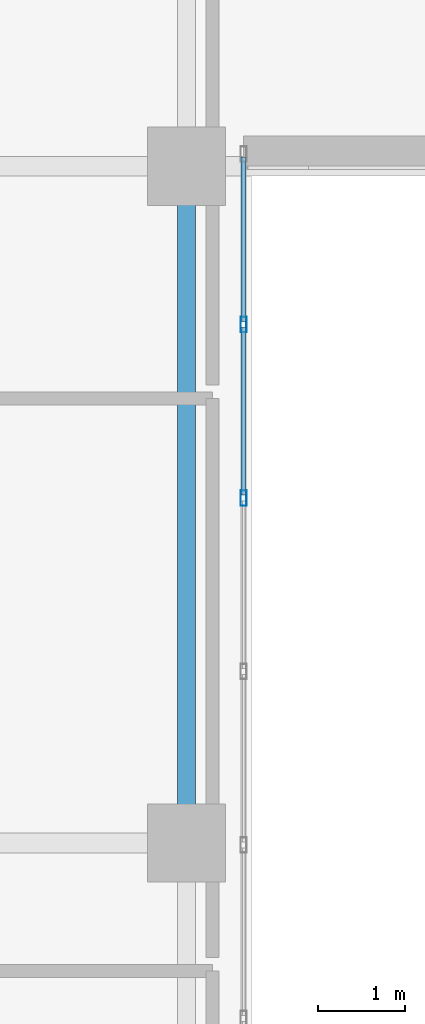
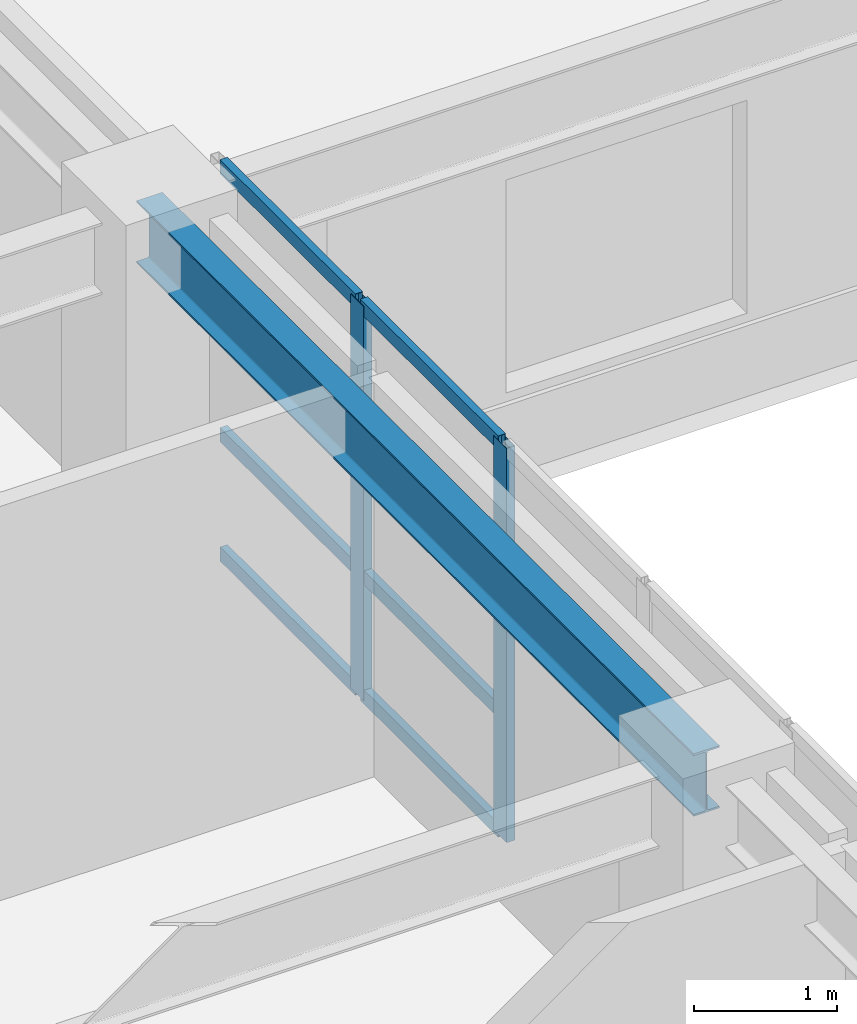
# One storey, part 3 of 25: 8 members, 1 beam, 1 element without a shape of its own.
"""IFC4 building model written with IfcOpenShell, lengths in metres."""

from ifc_helpers import new_model, si_unit, direction, frame, origin, origin_2d, place, context, subcontext, project, spatial, hollow_rectangle, i_section, extrude, source, transform, mapped, material, layer, layer_set, material_profile, profile_set, type_object, type_shapes, element, aggregate, save


model = new_model("IFC4")

# Units and contexts
model_context = context("Model", 3, precision=1e-05, world=origin(), true_north=direction((0.0, 1.0)))
body_context = subcontext(model_context, "Body", "Model", "MODEL_VIEW")
ifc_project = project(units=[si_unit("LENGTHUNIT", "METRE"), si_unit("AREAUNIT", "SQUARE_METRE"), si_unit("VOLUMEUNIT", "CUBIC_METRE"), si_unit("PLANEANGLEUNIT", "RADIAN"), si_unit("MASSUNIT", "GRAM", prefix="KILO")], contexts=[model_context])

# Site, building, storey
site_placement = place(None, origin())
site = spatial("IfcSite", under=ifc_project, at=site_placement, CompositionType="ELEMENT")
building_placement = place(site_placement, origin())
building = spatial("IfcBuilding", under=site, at=building_placement, Name="Tolvann Quenvar Hotel", CompositionType="ELEMENT")
storey_placement = place(building_placement, frame((0.0, 0.0, 132.85009765625)))
storey = spatial("IfcBuildingStorey", under=building, at=storey_placement, Name="L34", CompositionType="ELEMENT", Elevation=132.85009765625)

# Beam
ifc_material_1 = material(Name="Steel Grade 350", Category="steel")
ifc_material_profile_1 = material_profile(ifc_material_1, i_section(OverallWidth=0.208984375, OverallDepth=0.532958984375, WebThickness=0.01025390625, FlangeThickness=0.015625, FilletRadius=0.013916015625, at=origin_2d()), Name="530UB92")
ifc_profile_set_1 = profile_set([ifc_material_profile_1], Name="Steel Grade 350")
beam_type = type_object("IfcBeamType", Name="BM_GIRD_530UB92", PredefinedType="BEAM", material=ifc_profile_set_1)
shared_shape_1 = source(origin(), body_context, "Body", "SweptSolid", [
    extrude(i_section(OverallWidth=0.208984375, OverallDepth=0.532958984375, WebThickness=0.01025390625, FlangeThickness=0.015625, FilletRadius=0.013916015625, at=origin_2d()), origin(), (0.0, 0.0, 1.0), 7.800048828125),
])
type_shapes(beam_type, [shared_shape_1])
beam_placement = place(storey_placement, frame((22.050048828125, 8.199951171875, 3.103515625), z_axis=(0.0, 1.0, 0.0), x_axis=(-1.0, 0.0, 0.0)))
element("IfcBeam", 1, at=beam_placement, inside=storey, type_object=beam_type, Name="BM-L34-NS-E3-E4", PredefinedType="BEAM", context=body_context, shape_type="MappedRepresentation", body=[
    mapped(shared_shape_1, transform((0.0, 0.0, 0.0), x_axis=(1.0, 0.0, 0.0), y_axis=(0.0, 1.0, 0.0), z_axis=(0.0, 0.0, 1.0), scale=1.0)),
])

# Curtain wall, members
ifc_material_2 = material(Name="Thermally broken anodised architectural aluminium 6063-T6 and laminated low-E glass", Category="aluminium")
ifc_layer = layer(ifc_material_2, 0.179931640625)
ifc_layer_set = layer_set([ifc_layer], Name="Thermally broken anodised architectural aluminium 6063-T6 and laminated low-E glass")
curtain_wall_type = type_object("IfcCurtainWallType", Name="CW_SYS_SLOT_03", PredefinedType="USERDEFINED", material=ifc_layer_set)
curtain_wall_placement = place(storey_placement, origin())
curtain_wall = element("IfcCurtainWall", 2, at=curtain_wall_placement, inside=storey, type_object=curtain_wall_type, Name="Curtain Wall CW-SLOT-03 (CWR-L34-E05)", ObjectType="UNITISED CURTAIN WALL", PredefinedType="USERDEFINED")
ifc_material_3 = material(Name="Anodised architectural aluminium 6063-T6 framing", Category="aluminium")
ifc_material_profile_2 = material_profile(ifc_material_3, hollow_rectangle(XDim=0.06005859375, YDim=0.1201171875, WallThickness=0.00341796875, at=origin_2d()), Name="120x60x3.5RHS")
ifc_profile_set_2 = profile_set([ifc_material_profile_2], Name="Anodised architectural aluminium 6063-T6 framing")
member_type_1 = type_object("IfcMemberType", Name="CW_TRAN_120x60", PredefinedType="USERDEFINED", material=ifc_profile_set_2)
shared_shape_2 = source(origin(), body_context, "Body", "SweptSolid", [
    extrude(hollow_rectangle(XDim=0.06005859375, YDim=0.1201171875, WallThickness=0.00341796875, at=origin_2d()), origin(), (0.0, 0.0, 1.0), 1.929931640625),
])
member_1_placement = place(storey_placement, frame((22.7099609375, 12.2099609375, 0.02978515625), z_axis=(0.0, 1.0, 0.0), x_axis=(-1.0, 0.0, 0.0)))
member_1 = element("IfcMember", 3, at=member_1_placement, type_object=member_type_1, Name="CW-SLOT-03 transom 7.1", ObjectType="TRANSOM", PredefinedType="USERDEFINED", context=body_context, shape_type="MappedRepresentation", body=[
    mapped(shared_shape_2, transform((0.0, 0.0, 0.0), x_axis=(1.0, 0.0, 0.0), y_axis=(0.0, 1.0, 0.0), z_axis=(0.0, 0.0, 1.0), scale=1.0)),
])
member_2_placement = place(storey_placement, frame((22.7099609375, 12.2099609375, 1.0498046875), z_axis=(0.0, 1.0, 0.0), x_axis=(-1.0, 0.0, 0.0)))
member_2 = element("IfcMember", 4, at=member_2_placement, type_object=member_type_1, Name="CW-SLOT-03 transom 7.2", ObjectType="TRANSOM", PredefinedType="USERDEFINED", context=body_context, shape_type="MappedRepresentation", body=[
    mapped(shared_shape_2, transform((0.0, 0.0, 0.0), x_axis=(1.0, 0.0, 0.0), y_axis=(0.0, 1.0, 0.0), z_axis=(0.0, 0.0, 1.0), scale=1.0)),
])
member_3_placement = place(storey_placement, frame((22.7099609375, 12.2099609375, 3.33984375), z_axis=(0.0, 1.0, 0.0), x_axis=(-1.0, 0.0, 0.0)))
member_3 = element("IfcMember", 5, at=member_3_placement, type_object=member_type_1, Name="CW-SLOT-03 transom 7.3", ObjectType="TRANSOM", PredefinedType="USERDEFINED", context=body_context, shape_type="MappedRepresentation", body=[
    mapped(shared_shape_2, transform((0.0, 0.0, 0.0), x_axis=(1.0, 0.0, 0.0), y_axis=(0.0, 1.0, 0.0), z_axis=(0.0, 0.0, 1.0), scale=1.0)),
])
shared_shape_3 = source(origin(), body_context, "Body", "SweptSolid", [
    extrude(hollow_rectangle(XDim=0.06005859375, YDim=0.1201171875, WallThickness=0.00341796875, at=origin_2d()), origin(), (0.0, 0.0, 1.0), 1.89501953125),
])
type_shapes(member_type_1, [shared_shape_2, shared_shape_3])
member_4_placement = place(storey_placement, frame((22.7099609375, 14.2099609375, 0.02978515625), z_axis=(0.0, 1.0, 0.0), x_axis=(-1.0, 0.0, 0.0)))
member_4 = element("IfcMember", 6, at=member_4_placement, type_object=member_type_1, Name="CW-SLOT-03 transom 8.1", ObjectType="TRANSOM", PredefinedType="USERDEFINED", context=body_context, shape_type="MappedRepresentation", body=[
    mapped(shared_shape_3, transform((0.0, 0.0, 0.0), x_axis=(1.0, 0.0, 0.0), y_axis=(0.0, 1.0, 0.0), z_axis=(0.0, 0.0, 1.0), scale=1.0)),
])
member_5_placement = place(storey_placement, frame((22.7099609375, 14.2099609375, 1.0498046875), z_axis=(0.0, 1.0, 0.0), x_axis=(-1.0, 0.0, 0.0)))
member_5 = element("IfcMember", 7, at=member_5_placement, type_object=member_type_1, Name="CW-SLOT-03 transom 8.2", ObjectType="TRANSOM", PredefinedType="USERDEFINED", context=body_context, shape_type="MappedRepresentation", body=[
    mapped(shared_shape_3, transform((0.0, 0.0, 0.0), x_axis=(1.0, 0.0, 0.0), y_axis=(0.0, 1.0, 0.0), z_axis=(0.0, 0.0, 1.0), scale=1.0)),
])
member_6_placement = place(storey_placement, frame((22.7099609375, 14.2099609375, 3.33984375), z_axis=(0.0, 1.0, 0.0), x_axis=(-1.0, 0.0, 0.0)))
member_6 = element("IfcMember", 8, at=member_6_placement, type_object=member_type_1, Name="CW-SLOT-03 transom 8.3", ObjectType="TRANSOM", PredefinedType="USERDEFINED", context=body_context, shape_type="MappedRepresentation", body=[
    mapped(shared_shape_3, transform((0.0, 0.0, 0.0), x_axis=(1.0, 0.0, 0.0), y_axis=(0.0, 1.0, 0.0), z_axis=(0.0, 0.0, 1.0), scale=1.0)),
])
ifc_material_profile_3 = material_profile(ifc_material_3, hollow_rectangle(XDim=0.070068359375, YDim=0.179931640625, WallThickness=0.00390625, at=origin_2d()), Name="180x70x4RHS")
ifc_profile_set_3 = profile_set([ifc_material_profile_3], Name="Anodised architectural aluminium 6063-T6 framing")
member_type_2 = type_object("IfcMemberType", Name="CW_MULL_180x70", PredefinedType="MULLION", material=ifc_profile_set_3)
shared_shape_4 = source(origin(), body_context, "Body", "SweptSolid", [
    extrude(hollow_rectangle(XDim=0.070068359375, YDim=0.179931640625, WallThickness=0.00390625, at=origin_2d()), origin(), (0.0, 0.0, 1.0), 3.369873046875),
])
type_shapes(member_type_2, [shared_shape_4])
member_7_placement = place(storey_placement, frame((22.7099609375, 12.175048828125, 0.0), z_axis=(0.0, 0.0, 1.0), x_axis=(-1.0, 0.0, 0.0)))
member_7 = element("IfcMember", 9, at=member_7_placement, type_object=member_type_2, Name="CW-SLOT-03 mullion 7", PredefinedType="MULLION", context=body_context, shape_type="MappedRepresentation", body=[
    mapped(shared_shape_4, transform((0.0, 0.0, 0.0), x_axis=(1.0, 0.0, 0.0), y_axis=(0.0, 1.0, 0.0), z_axis=(0.0, 0.0, 1.0), scale=1.0)),
])
member_8_placement = place(storey_placement, frame((22.7099609375, 14.175048828125, 0.0), z_axis=(0.0, 0.0, 1.0), x_axis=(-1.0, 0.0, 0.0)))
member_8 = element("IfcMember", 10, at=member_8_placement, type_object=member_type_2, Name="CW-SLOT-03 mullion 8", PredefinedType="MULLION", context=body_context, shape_type="MappedRepresentation", body=[
    mapped(shared_shape_4, transform((0.0, 0.0, 0.0), x_axis=(1.0, 0.0, 0.0), y_axis=(0.0, 1.0, 0.0), z_axis=(0.0, 0.0, 1.0), scale=1.0)),
])
aggregate(curtain_wall, [member_7, member_8, member_1, member_2, member_3, member_4, member_5, member_6])

save(model, "model.ifc")
